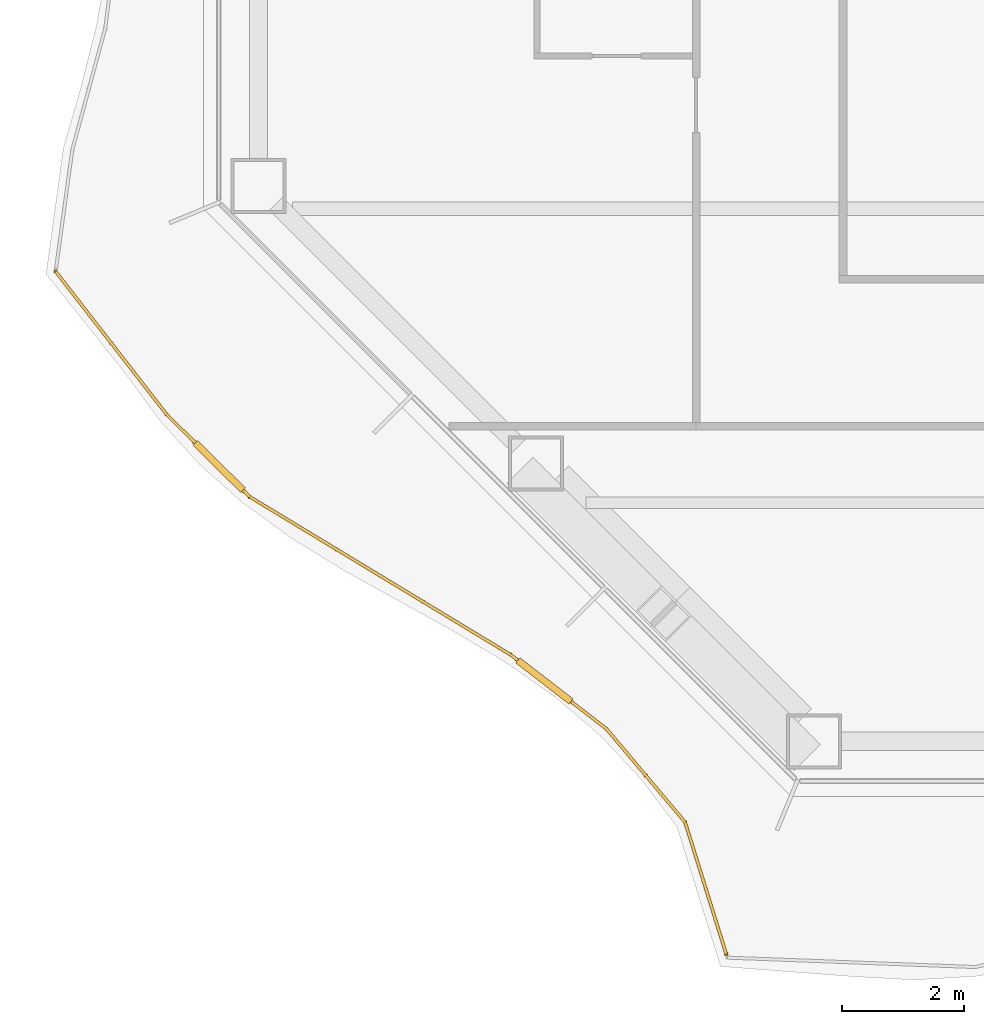
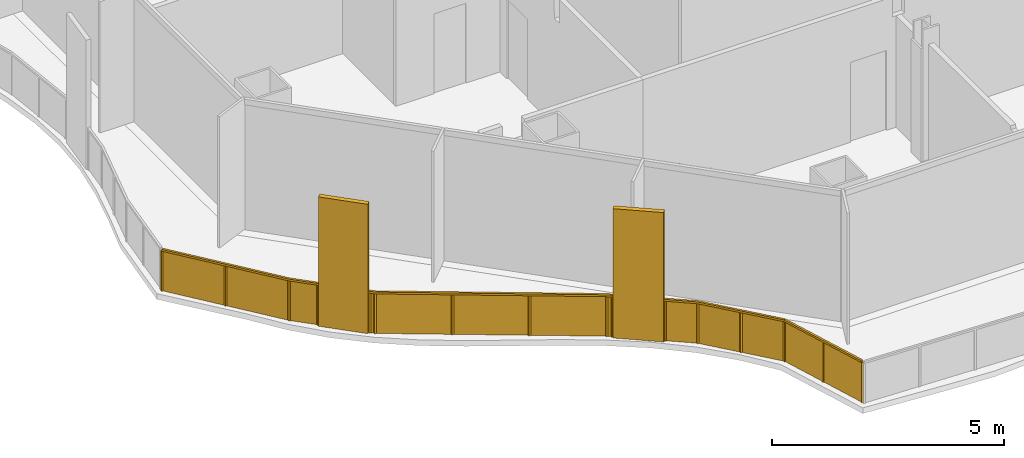
# One storey, part 12 of 18: 1 railing.
"""IFC4 building model written with IfcOpenShell, lengths in metres."""

from ifc_helpers import new_model, si_unit, direction, frame, origin, origin_2d, place, context, subcontext, project, spatial, polyline, rectangle, outline, extrude, material, type_object, element, save


model = new_model("IFC4")

# Units and contexts
model_context = context("Model", 3, precision=1e-05, world=origin(), true_north=direction((0.0, 1.0)))
body_context = subcontext(model_context, "Body", "Model", "MODEL_VIEW")
ifc_project = project(units=[si_unit("LENGTHUNIT", "METRE"), si_unit("AREAUNIT", "SQUARE_METRE"), si_unit("VOLUMEUNIT", "CUBIC_METRE"), si_unit("PLANEANGLEUNIT", "RADIAN"), si_unit("MASSUNIT", "GRAM", prefix="KILO")], contexts=[model_context])

# Site, building, storey
site_placement = place(None, origin())
site = spatial("IfcSite", under=ifc_project, at=site_placement, CompositionType="ELEMENT")
building_placement = place(site_placement, origin())
building = spatial("IfcBuilding", under=site, at=building_placement, Name="Cairn Pilgrim Tower", CompositionType="ELEMENT")
storey_placement = place(building_placement, frame((0.0, 0.0, 76.199951171875)))
storey = spatial("IfcBuildingStorey", under=building, at=storey_placement, Name="L17", CompositionType="ELEMENT", Elevation=76.199951171875)

# Railing
ifc_material = material(Name="Bronze anodised aluminium rail, posts and fin screens with laminated glass infill", Category="aluminium")
railing_type = type_object("IfcRailingType", Name="BALCONY GUARD WITH FIN SCREENS", PredefinedType="GUARDRAIL", material=ifc_material)
railing_placement = place(storey_placement, frame((-31.214599609375, -15.423095703125, 0.0)))
element("IfcRailing", 1, at=railing_placement, inside=storey, type_object=railing_type, Name="Balcony guard BGF-8 with fin screens", PredefinedType="GUARDRAIL", context=body_context, shape_type="SweptSolid", body=[
    extrude(rectangle(XDim=0.050048828125, YDim=0.050048828125, at=origin_2d()), frame((0.0, 0.0, 1.0751953125), z_axis=(0.613133997778, -0.789978924256, 0.0), x_axis=(0.789978924256, 0.613133997778, 0.0)), (0.0, 0.0, 1.0), 2.955810546875),
    extrude(rectangle(XDim=1.10009765625, YDim=0.110107421875, at=origin_2d()), frame((2.673095703125, -3.188232421875, 0.0), z_axis=(0.0, 0.0, 1.0), x_axis=(0.710228338372, -0.703971382496, 0.0)), (0.0, 0.0, 1.0), 3.39990234375),
    extrude(rectangle(XDim=0.050048828125, YDim=0.050048828125, at=origin_2d()), frame((1.812255859375, -2.3349609375, 1.0751953125), z_axis=(0.710228338372, -0.703971382496, 0.0), x_axis=(0.703971382496, 0.710228338372, 0.0)), (0.0, 0.0, 1.0), 0.661865234375),
    extrude(rectangle(XDim=0.050048828125, YDim=0.050048828125, at=origin_2d()), frame((3.063720703125, -3.575439453125, 1.0751953125), z_axis=(0.710228338372, -0.703971382496, 0.0), x_axis=(0.703971382496, 0.710228338372, 0.0)), (0.0, 0.0, 1.0), 0.14990234375),
    extrude(rectangle(XDim=0.050048828125, YDim=0.050048828125, at=origin_2d()), frame((3.170166015625, -3.680908203125, 1.0751953125), z_axis=(0.855437254215, -0.517906462694, 0.0), x_axis=(0.517906462694, 0.855437254215, 0.0)), (0.0, 0.0, 1.0), 4.983642578125),
    extrude(rectangle(XDim=1.10009765625, YDim=0.110107421875, at=origin_2d()), frame((7.987060546875, -6.690185546875, 0.0), z_axis=(0.0, 0.0, 1.0), x_axis=(0.791049005834, -0.611752785338, 0.0)), (0.0, 0.0, 1.0), 3.39990234375),
    extrude(rectangle(XDim=0.050048828125, YDim=0.050048828125, at=origin_2d()), frame((7.433349609375, -6.261962890625, 1.0751953125), z_axis=(0.791049005834, -0.611752785338, 0.0), x_axis=(0.611752785338, 0.791049005834, 0.0)), (0.0, 0.0, 1.0), 0.150146484375),
    extrude(rectangle(XDim=0.050048828125, YDim=0.050048828125, at=origin_2d()), frame((8.42236328125, -7.026611328125, 1.0751953125), z_axis=(0.791049005834, -0.611752785338, 0.0), x_axis=(0.611752785338, 0.791049005834, 0.0)), (0.0, 0.0, 1.0), 0.729736328125),
    extrude(rectangle(XDim=0.050048828125, YDim=0.050048828125, at=origin_2d()), frame((8.99951171875, -7.47314453125, 1.0751953125), z_axis=(0.644524239242, -0.76458387704, 0.0), x_axis=(0.76458387704, 0.644524239242, 0.0)), (0.0, 0.0, 1.0), 1.992919921875),
    extrude(rectangle(XDim=0.050048828125, YDim=0.050048828125, at=origin_2d()), frame((10.283935546875, -8.996826171875, 1.0751953125), z_axis=(0.297758203011, -0.954641321408, 0.0), x_axis=(0.954641321408, 0.297758203011, 0.0)), (0.0, 0.0, 1.0), 2.259765625),
    extrude(rectangle(XDim=0.050048828125, YDim=0.050048828125, at=origin_2d()), origin(), (0.0, 0.0, 1.0), 1.050048828125),
    extrude(rectangle(XDim=0.050048828125, YDim=0.050048828125, at=origin_2d()), frame((0.90625, -1.16748046875, 0.0)), (0.0, 0.0, 1.0), 1.050048828125),
    extrude(rectangle(XDim=0.050048828125, YDim=0.050048828125, at=origin_2d()), frame((1.812255859375, -2.3349609375, 0.0)), (0.0, 0.0, 1.0), 1.050048828125),
    extrude(rectangle(XDim=0.050048828125, YDim=0.050048828125, at=origin_2d()), frame((2.2646484375, -2.783447265625, 0.0)), (0.0, 0.0, 1.0), 1.050048828125),
    extrude(rectangle(XDim=0.050048828125, YDim=0.050048828125, at=origin_2d()), frame((3.08154296875, -3.593017578125, 0.0)), (0.0, 0.0, 1.0), 1.050048828125),
    extrude(rectangle(XDim=0.050048828125, YDim=0.050048828125, at=origin_2d()), frame((3.170166015625, -3.680908203125, 0.0)), (0.0, 0.0, 1.0), 1.050048828125),
    extrude(rectangle(XDim=0.050048828125, YDim=0.050048828125, at=origin_2d()), frame((4.59130859375, -4.541259765625, 0.0)), (0.0, 0.0, 1.0), 1.050048828125),
    extrude(rectangle(XDim=0.050048828125, YDim=0.050048828125, at=origin_2d()), frame((6.01220703125, -5.401611328125, 0.0)), (0.0, 0.0, 1.0), 1.050048828125),
    extrude(rectangle(XDim=0.050048828125, YDim=0.050048828125, at=origin_2d()), frame((7.433349609375, -6.261962890625, 0.0)), (0.0, 0.0, 1.0), 1.050048828125),
    extrude(rectangle(XDim=0.050048828125, YDim=0.050048828125, at=origin_2d()), frame((7.5322265625, -6.33837890625, 0.0)), (0.0, 0.0, 1.0), 1.050048828125),
    extrude(rectangle(XDim=0.050048828125, YDim=0.050048828125, at=origin_2d()), frame((8.442138671875, -7.0419921875, 0.0)), (0.0, 0.0, 1.0), 1.050048828125),
    extrude(rectangle(XDim=0.050048828125, YDim=0.050048828125, at=origin_2d()), frame((8.99951171875, -7.47314453125, 0.0)), (0.0, 0.0, 1.0), 1.050048828125),
    extrude(rectangle(XDim=0.050048828125, YDim=0.050048828125, at=origin_2d()), frame((9.6416015625, -8.23486328125, 0.0)), (0.0, 0.0, 1.0), 1.050048828125),
    extrude(rectangle(XDim=0.050048828125, YDim=0.050048828125, at=origin_2d()), frame((10.283935546875, -8.996826171875, 0.0)), (0.0, 0.0, 1.0), 1.050048828125),
    extrude(rectangle(XDim=0.050048828125, YDim=0.050048828125, at=origin_2d()), frame((10.620361328125, -10.075439453125, 0.0)), (0.0, 0.0, 1.0), 1.050048828125),
    extrude(rectangle(XDim=0.050048828125, YDim=0.050048828125, at=origin_2d()), frame((10.956787109375, -11.154052734375, 0.0)), (0.0, 0.0, 1.0), 1.050048828125),
    extrude(outline(polyline([(0.02490234375, 0.0), (1.452880859375, 0.0), (1.452880859375, 1.050048828125), (0.02490234375, 1.050048828125), (0.02490234375, 0.0)])), frame((0.004638671875, 0.003662109375, 0.0), z_axis=(-0.789978924256, -0.613133997778, 0.0), x_axis=(0.613133997778, -0.789978924256, 0.0)), (0.0, 0.0, 1.0), 0.011962890625),
    extrude(outline(polyline([(0.02490234375, 0.0), (1.452880859375, 0.0), (1.452880859375, 1.050048828125), (0.02490234375, 1.050048828125), (0.02490234375, 0.0)])), frame((0.910888671875, -1.163818359375, 0.0), z_axis=(-0.789978924256, -0.613133997778, 0.0), x_axis=(0.613133997778, -0.789978924256, 0.0)), (0.0, 0.0, 1.0), 0.011962890625),
    extrude(outline(polyline([(0.02490234375, 0.0), (0.61181640625, 0.0), (0.61181640625, 1.050048828125), (0.02490234375, 1.050048828125), (0.02490234375, 0.0)])), frame((1.81640625, -2.330810546875, 0.0), z_axis=(-0.703971382496, -0.710228338372, 0.0), x_axis=(0.710228338372, -0.703971382496, 0.0)), (0.0, 0.0, 1.0), 0.011962890625),
    extrude(outline(polyline([(0.02490234375, 0.0), (0.099853515625, 0.0), (0.099853515625, 1.050048828125), (0.02490234375, 1.050048828125), (0.02490234375, 0.0)])), frame((3.085693359375, -3.588623046875, 0.0), z_axis=(-0.703971382496, -0.710228338372, 0.0), x_axis=(0.710228338372, -0.703971382496, 0.0)), (0.0, 0.0, 1.0), 0.011962890625),
    extrude(outline(polyline([(0.02490234375, 0.0), (1.63623046875, 0.0), (1.63623046875, 1.050048828125), (0.02490234375, 1.050048828125), (0.02490234375, 0.0)])), frame((3.17333984375, -3.67578125, 0.0), z_axis=(-0.517906462694, -0.855437254215, 0.0), x_axis=(0.855437254215, -0.517906462694, 0.0)), (0.0, 0.0, 1.0), 0.011962890625),
    extrude(outline(polyline([(0.02490234375, 0.0), (1.63623046875, 0.0), (1.63623046875, 1.050048828125), (0.02490234375, 1.050048828125), (0.02490234375, 0.0)])), frame((4.59423828125, -4.5361328125, 0.0), z_axis=(-0.517906462694, -0.855437254215, 0.0), x_axis=(0.855437254215, -0.517906462694, 0.0)), (0.0, 0.0, 1.0), 0.011962890625),
    extrude(outline(polyline([(0.02490234375, 0.0), (1.63623046875, 0.0), (1.63623046875, 1.050048828125), (0.02490234375, 1.050048828125), (0.02490234375, 0.0)])), frame((6.015380859375, -5.396484375, 0.0), z_axis=(-0.517906462694, -0.855437254215, 0.0), x_axis=(0.855437254215, -0.517906462694, 0.0)), (0.0, 0.0, 1.0), 0.011962890625),
    extrude(outline(polyline([(0.02490234375, 0.0), (0.10009765625, 0.0), (0.10009765625, 1.050048828125), (0.02490234375, 1.050048828125), (0.02490234375, 0.0)])), frame((7.43701171875, -6.25732421875, 0.0), z_axis=(-0.611752785338, -0.791049005834, 0.0), x_axis=(0.791049005834, -0.611752785338, 0.0)), (0.0, 0.0, 1.0), 0.011962890625),
    extrude(outline(polyline([(0.02490234375, 0.0), (0.6796875, 0.0), (0.6796875, 1.050048828125), (0.02490234375, 1.050048828125), (0.02490234375, 0.0)])), frame((8.44580078125, -7.037353515625, 0.0), z_axis=(-0.611752785338, -0.791049005834, 0.0), x_axis=(0.791049005834, -0.611752785338, 0.0)), (0.0, 0.0, 1.0), 0.011962890625),
    extrude(outline(polyline([(0.02490234375, 0.0), (0.971435546875, 0.0), (0.971435546875, 1.050048828125), (0.02490234375, 1.050048828125), (0.02490234375, 0.0)])), frame((9.004150390625, -7.46923828125, 0.0), z_axis=(-0.76458387704, -0.644524239242, 0.0), x_axis=(0.644524239242, -0.76458387704, 0.0)), (0.0, 0.0, 1.0), 0.011962890625),
    extrude(outline(polyline([(0.02490234375, 0.0), (0.971435546875, 0.0), (0.971435546875, 1.050048828125), (0.02490234375, 1.050048828125), (0.02490234375, 0.0)])), frame((9.646240234375, -8.231201171875, 0.0), z_axis=(-0.76458387704, -0.644524239242, 0.0), x_axis=(0.644524239242, -0.76458387704, 0.0)), (0.0, 0.0, 1.0), 0.011962890625),
    extrude(outline(polyline([(0.02490234375, 0.0), (1.104736328125, 0.0), (1.104736328125, 1.050048828125), (0.02490234375, 1.050048828125), (0.02490234375, 0.0)])), frame((10.28955078125, -8.9951171875, 0.0), z_axis=(-0.954641321408, -0.297758203011, 0.0), x_axis=(0.297758203011, -0.954641321408, 0.0)), (0.0, 0.0, 1.0), 0.011962890625),
    extrude(outline(polyline([(0.02490234375, 0.0), (1.104736328125, 0.0), (1.104736328125, 1.050048828125), (0.02490234375, 1.050048828125), (0.02490234375, 0.0)])), frame((10.6259765625, -10.07373046875, 0.0), z_axis=(-0.954641321408, -0.297758203011, 0.0), x_axis=(0.297758203011, -0.954641321408, 0.0)), (0.0, 0.0, 1.0), 0.011962890625),
])

save(model, "model.ifc")
